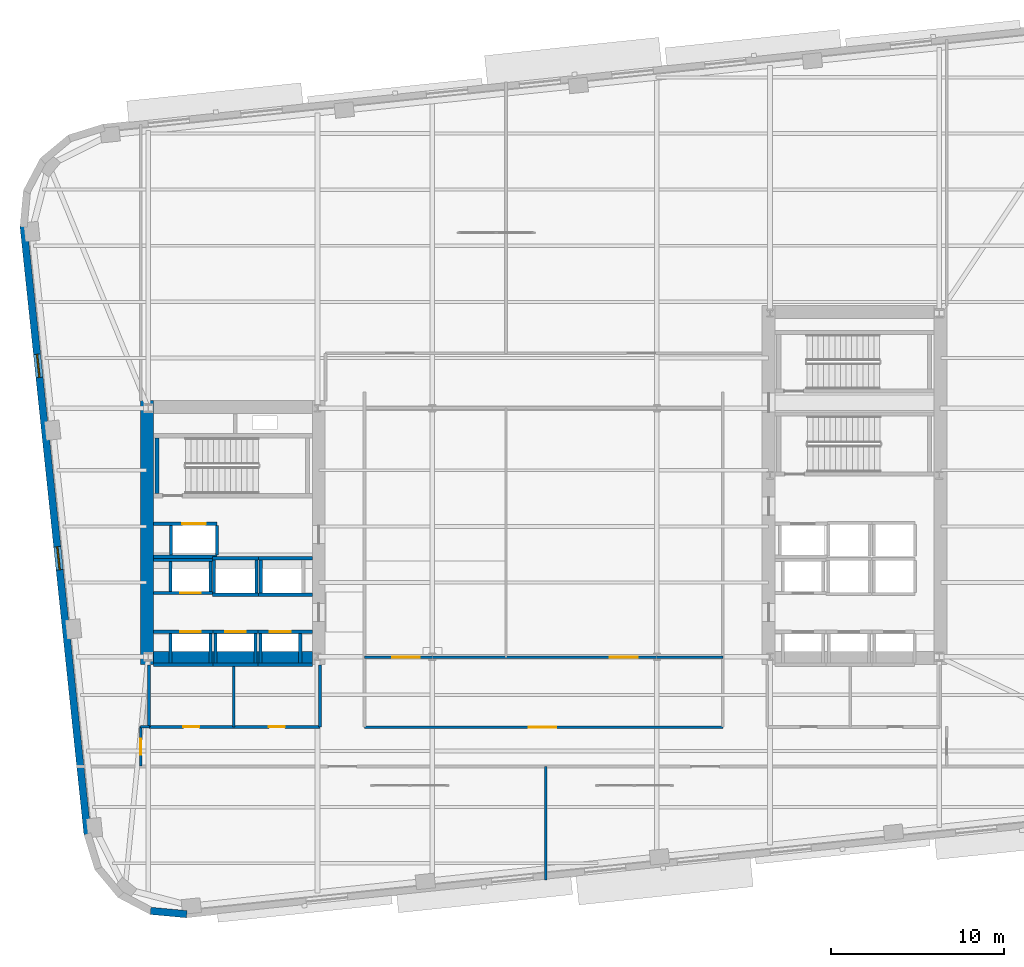
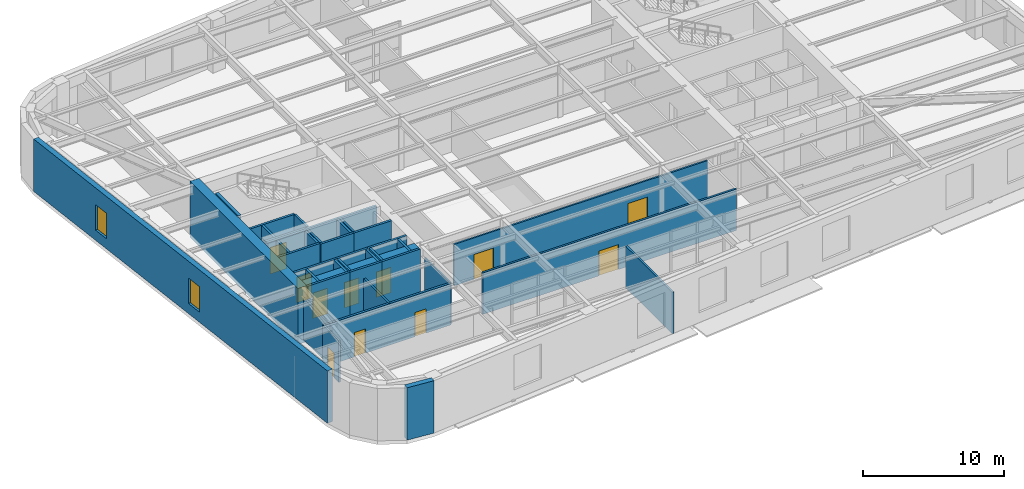
# One storey, part 7 of 14: 41 walls, 11 doors, 2 windows, 13 openings.
"""IFC4 building model written with IfcOpenShell, lengths in metres."""

from ifc_helpers import new_model, si_unit, direction, frame, frame_2d, origin, place, context, subcontext, project, spatial, rectangle, extrude, material, layer, layer_set, type_object, element, fill, save


model = new_model("IFC4")

# Units and contexts
model_context = context("Model", 3, precision=1e-05, world=origin(), true_north=direction((0.0, 1.0)))
body_context = subcontext(model_context, "Body", "Model", "MODEL_VIEW")
ifc_project = project(units=[si_unit("LENGTHUNIT", "METRE"), si_unit("AREAUNIT", "SQUARE_METRE"), si_unit("VOLUMEUNIT", "CUBIC_METRE"), si_unit("PLANEANGLEUNIT", "RADIAN"), si_unit("MASSUNIT", "GRAM", prefix="KILO")], contexts=[model_context])

# Site, building, storey
site_placement = place(None, origin())
site = spatial("IfcSite", under=ifc_project, at=site_placement, CompositionType="ELEMENT")
building_placement = place(site_placement, origin())
building = spatial("IfcBuilding", under=site, at=building_placement, Name="Kolvaren Arena Tower", CompositionType="ELEMENT")
storey_placement = place(building_placement, frame((0.0, 0.0, 125.949951171875)))
storey = spatial("IfcBuildingStorey", under=building, at=storey_placement, Name="L29", CompositionType="ELEMENT", Elevation=125.949951171875)

# Wall, opening, door
ifc_material_1 = material(Name="Gypsum board acoustic assembly", Category="gypsum")
ifc_layer_1 = layer(ifc_material_1, 0.159912109375)
ifc_layer_set_1 = layer_set([ifc_layer_1], Name="Gypsum board acoustic assembly")
wall_type_1 = type_object("IfcWallType", Name="CORR-160", PredefinedType="PARTITIONING", material=ifc_layer_set_1)
wall_1_placement = place(storey_placement, frame((27.080078125, 15.3798828125, 0.0), z_axis=(0.0, 0.0, 1.0), x_axis=(1.0, 0.0, 0.0)))
wall_1 = element("IfcWall", 1, at=wall_1_placement, inside=storey, type_object=wall_type_1, Name="Interior Partition Wall (L29)", PredefinedType="PARTITIONING", context=body_context, shape_type="SweptSolid", body=[
    extrude(rectangle(XDim=20.739990234375, YDim=0.159912109375, at=frame_2d((10.3701171875, 0.0))), origin(), (0.0, 0.0, 1.0), 3.590087890625),
])
opening_1_placement = place(wall_1_placement, frame((9.5, 0.0, 0.0)))
opening_1 = element("IfcOpeningElement", 2, at=opening_1_placement, cuts=wall_1, Name="Opening D06", PredefinedType="OPENING", context=body_context, shape_type="SweptSolid", body=[
    extrude(rectangle(XDim=1.60009765625, YDim=2.14990234375, at=frame_2d((0.800048828125, 1.074951171875))), frame((0.0, 0.08984375, 0.0), z_axis=(0.0, -1.0, 0.0), x_axis=(1.0, 0.0, 0.0)), (0.0, 0.0, 1.0), 0.179931640625),
])
ifc_material_2 = material(Name="Glazed acoustic boardroom double door", Category="aluminium")
door_type_1 = type_object("IfcDoorType", Name="DOOR-MT-160", OperationType="DOUBLE_DOOR_SINGLE_SWING", PredefinedType="DOOR", material=ifc_material_2)
door_1_placement = place(opening_1_placement, origin())
door_1 = element("IfcDoor", 3, at=door_1_placement, inside=storey, type_object=door_type_1, Name="South Viewing Lounge Door (L29)", OperationType="DOUBLE_DOOR_SINGLE_SWING", OverallHeight=2.14990234375, OverallWidth=1.60009765625, PredefinedType="DOOR", context=body_context, shape_type="SweptSolid", body=[
    extrude(rectangle(XDim=1.60009765625, YDim=2.14990234375, at=frame_2d((0.800048828125, 1.074951171875))), frame((0.0, 0.02490234375, 0.0), z_axis=(0.0, -1.0, 0.0), x_axis=(1.0, 0.0, 0.0)), (0.0, 0.0, 1.0), 0.050048828125),
])
fill(opening_1, door_1)

# Walls
wall_2_placement = place(storey_placement, frame((14.1201171875, 15.39990234375, 0.0), z_axis=(0.0, 0.0, 1.0), x_axis=(1.0, 0.0, 0.0)))
element("IfcWall", 4, at=wall_2_placement, inside=storey, type_object=wall_type_1, Name="Interior Partition Wall (L29)", PredefinedType="PARTITIONING", context=body_context, shape_type="SweptSolid", body=[
    extrude(rectangle(XDim=0.5, YDim=0.159912109375, at=frame_2d((0.25, 0.0))), origin(), (0.0, 0.0, 1.0), 3.590087890625),
])
wall_3_placement = place(storey_placement, frame((37.570068359375, 6.5283203125, 0.0), z_axis=(0.0, 0.0, 1.0), x_axis=(0.0, 1.0, 0.0)))
element("IfcWall", 5, at=wall_3_placement, inside=storey, type_object=wall_type_1, Name="Interior Partition Wall (L29)", PredefinedType="PARTITIONING", context=body_context, shape_type="SweptSolid", body=[
    extrude(rectangle(XDim=6.57177734375, YDim=0.159912109375, at=frame_2d((3.285888671875, 0.0))), origin(), (0.0, 0.0, 1.0), 3.590087890625),
])

# Wall, opening, door
wall_4_placement = place(storey_placement, frame((14.1201171875, 13.1201171875, 0.0), z_axis=(0.0, 0.0, 1.0), x_axis=(0.0, 1.0, 0.0)))
wall_4 = element("IfcWall", 6, at=wall_4_placement, inside=storey, type_object=wall_type_1, Name="Interior Partition Wall (L29)", PredefinedType="PARTITIONING", context=body_context, shape_type="SweptSolid", body=[
    extrude(rectangle(XDim=2.2998046875, YDim=0.159912109375, at=frame_2d((1.14990234375, 0.0))), origin(), (0.0, 0.0, 1.0), 3.590087890625),
])
opening_2_placement = place(wall_4_placement, frame((0.64990234375, 0.0, 0.0)))
opening_2 = element("IfcOpeningElement", 7, at=opening_2_placement, cuts=wall_4, Name="Opening D05", PredefinedType="OPENING", context=body_context, shape_type="SweptSolid", body=[
    extrude(rectangle(XDim=0.949951171875, YDim=2.14990234375, at=frame_2d((0.47509765625, 1.074951171875))), frame((0.0, 0.08984375, 0.0), z_axis=(0.0, -1.0, 0.0), x_axis=(1.0, 0.0, 0.0)), (0.0, 0.0, 1.0), 0.179931640625),
])
ifc_material_3 = material(Name="Solid-core oak acoustic office door", Category="wood")
door_type_2 = type_object("IfcDoorType", Name="DOOR-OF-095", OperationType="NOTDEFINED", PredefinedType="DOOR", material=ifc_material_3)
door_2_placement = place(opening_2_placement, origin())
door_2 = element("IfcDoor", 8, at=door_2_placement, inside=storey, type_object=door_type_2, Name="West Salon Door (L29)", OperationType="SINGLE_SWING_LEFT", OverallHeight=2.14990234375, OverallWidth=0.949951171875, PredefinedType="DOOR", context=body_context, shape_type="SweptSolid", body=[
    extrude(rectangle(XDim=0.949951171875, YDim=2.14990234375, at=frame_2d((0.47509765625, 1.074951171875))), frame((0.0, 0.02490234375, 0.0), z_axis=(0.0, -1.0, 0.0), x_axis=(1.0, 0.0, 0.0)), (0.0, 0.0, 1.0), 0.050048828125),
])
fill(opening_2, door_2)

# Walls
ifc_material_4 = material(Name="Concrete 70 MPa", Category="concrete")
ifc_layer_2 = layer(ifc_material_4, 0.75)
ifc_layer_set_2 = layer_set([ifc_layer_2], Name="Concrete 70 MPa")
wall_type_2 = type_object("IfcWallType", Name="CWALL-750", PredefinedType="SHEAR", material=ifc_layer_set_2)
wall_5_placement = place(storey_placement, frame((14.47509765625, 19.0, -0.31005859375), z_axis=(0.0, 0.0, 1.0), x_axis=(0.0, 1.0, 0.0)))
element("IfcWall", 9, at=wall_5_placement, inside=storey, type_object=wall_type_2, Name="Core Shear Wall WC-WEST (L29)", PredefinedType="SHEAR", context=body_context, shape_type="SweptSolid", body=[
    extrude(rectangle(XDim=15.300048828125, YDim=0.75, at=frame_2d((7.64990234375, 0.0))), origin(), (0.0, 0.0, 1.0), 4.840087890625),
])
wall_6_placement = place(storey_placement, frame((14.85009765625, 19.375, -0.31005859375), z_axis=(0.0, 0.0, 1.0), x_axis=(1.0, 0.0, 0.0)))
element("IfcWall", 10, at=wall_6_placement, inside=storey, type_object=wall_type_2, Name="Core Shear Wall WC-SOUTH (L29)", PredefinedType="SHEAR", context=body_context, shape_type="SweptSolid", body=[
    extrude(rectangle(XDim=9.199951171875, YDim=0.75, at=frame_2d((4.60009765625, 0.0))), origin(), (0.0, 0.0, 1.0), 4.840087890625),
])

# Wall, openings, windows
ifc_material_5 = material(Name="Precast concrete C50/60", Category="concrete")
ifc_layer_3 = layer(ifc_material_5, 0.419921875)
ifc_layer_set_3 = layer_set([ifc_layer_3], Name="Precast concrete C50/60")
wall_type_3 = type_object("IfcWallType", Name="EXT-PIER1", PredefinedType="SOLIDWALL", material=ifc_layer_set_3)
wall_7_placement = place(storey_placement, frame((11.039794921875, 9.16943359375, 0.0), z_axis=(0.0, 0.0, 1.0), x_axis=(-0.104532207177, 0.99452150186, 0.0)))
wall_7 = element("IfcWall", 11, at=wall_7_placement, inside=storey, type_object=wall_type_3, Name="Exterior Precast Masonry-Frame Wall (L29)", PredefinedType="SOLIDWALL", context=body_context, shape_type="SweptSolid", body=[
    extrude(rectangle(XDim=35.39990234375, YDim=0.419921875, at=frame_2d((17.699951171875, 0.0))), origin(), (0.0, 0.0, 1.0), 4.530029296875),
])
opening_3_placement = place(wall_7_placement, frame((15.39990234375, 0.0, 0.8798828125)))
opening_3 = element("IfcOpeningElement", 12, at=opening_3_placement, cuts=wall_7, Name="Opening W04", PredefinedType="OPENING", context=body_context, shape_type="SweptSolid", body=[
    extrude(rectangle(XDim=1.35009765625, YDim=2.199951171875, at=frame_2d((0.675048828125, 1.10009765625))), frame((0.0, 0.219970703125, 0.0), z_axis=(0.0, -1.0, 0.0), x_axis=(1.0, 0.0, 0.0)), (0.0, 0.0, 1.0), 0.43994140625),
])
opening_4_placement = place(wall_7_placement, frame((26.60009765625, 0.0, 0.8798828125)))
opening_4 = element("IfcOpeningElement", 13, at=opening_4_placement, cuts=wall_7, Name="Opening W04", PredefinedType="OPENING", context=body_context, shape_type="SweptSolid", body=[
    extrude(rectangle(XDim=1.35009765625, YDim=2.199951171875, at=frame_2d((0.675048828125, 1.10009765625))), frame((0.0, 0.219970703125, 0.0), z_axis=(0.0, -1.0, 0.0), x_axis=(1.0, 0.0, 0.0)), (0.0, 0.0, 1.0), 0.43994140625),
])
ifc_material_6 = material(Name="Triple-glazed curved-facet corner window", Category="glass")
window_type = type_object("IfcWindowType", Name="WIN-CRN-A", PartitioningType="SINGLE_PANEL", PredefinedType="WINDOW", material=ifc_material_6)
window_1_placement = place(opening_3_placement, origin())
window_1 = element("IfcWindow", 14, at=window_1_placement, inside=storey, type_object=window_type, Name="End-Wall Punched Window (L29)", OverallHeight=2.199951171875, OverallWidth=1.35009765625, PartitioningType="SINGLE_PANEL", PredefinedType="WINDOW", context=body_context, shape_type="SweptSolid", body=[
    extrude(rectangle(XDim=1.35009765625, YDim=2.199951171875, at=frame_2d((0.675048828125, 1.10009765625))), frame((0.0, 0.030029296875, 0.0), z_axis=(0.0, -1.0, 0.0), x_axis=(1.0, 0.0, 0.0)), (0.0, 0.0, 1.0), 0.06005859375),
])
fill(opening_3, window_1)
window_2_placement = place(opening_4_placement, origin())
window_2 = element("IfcWindow", 15, at=window_2_placement, inside=storey, type_object=window_type, Name="End-Wall Punched Window (L29)", OverallHeight=2.199951171875, OverallWidth=1.35009765625, PartitioningType="SINGLE_PANEL", PredefinedType="WINDOW", context=body_context, shape_type="SweptSolid", body=[
    extrude(rectangle(XDim=1.35009765625, YDim=2.199951171875, at=frame_2d((0.675048828125, 1.10009765625))), frame((0.0, 0.030029296875, 0.0), z_axis=(0.0, -1.0, 0.0), x_axis=(1.0, 0.0, 0.0)), (0.0, 0.0, 1.0), 0.06005859375),
])
fill(opening_4, window_2)

# Wall
wall_8_placement = place(storey_placement, frame((16.784912109375, 4.55078125, 0.0), z_axis=(0.0, 0.0, 1.0), x_axis=(-0.995811110714, 0.091434303078, 0.0)))
element("IfcWall", 16, at=wall_8_placement, inside=storey, type_object=wall_type_3, Name="Exterior Precast Masonry-Frame Wall (L29)", PredefinedType="SOLIDWALL", context=body_context, shape_type="SweptSolid", body=[
    extrude(rectangle(XDim=2.106689453125, YDim=0.419921875, at=frame_2d((1.05322265625, 0.0))), origin(), (0.0, 0.0, 1.0), 4.530029296875),
])

# Wall, openings, doors
ifc_material_7 = material(Name="Gypsum board partition assembly", Category="gypsum")
ifc_layer_4 = layer(ifc_material_7, 0.135009765625)
ifc_layer_set_4 = layer_set([ifc_layer_4], Name="Gypsum board partition assembly")
wall_type_4 = type_object("IfcWallType", Name="PART-135", PredefinedType="PARTITIONING", material=ifc_layer_set_4)
wall_9_placement = place(storey_placement, frame((27.080078125, 19.419921875, 0.0), z_axis=(0.0, 0.0, 1.0), x_axis=(1.0, 0.0, 0.0)))
wall_9 = element("IfcWall", 17, at=wall_9_placement, inside=storey, type_object=wall_type_4, Name="Interior Partition Wall (L29)", PredefinedType="PARTITIONING", context=body_context, shape_type="SweptSolid", body=[
    extrude(rectangle(XDim=20.739990234375, YDim=0.135009765625, at=frame_2d((10.3701171875, 0.0))), origin(), (0.0, 0.0, 1.0), 3.590087890625),
])
opening_5_placement = place(wall_9_placement, frame((1.60009765625, 0.0, 0.0)))
opening_5 = element("IfcOpeningElement", 18, at=opening_5_placement, cuts=wall_9, Name="Opening D06", PredefinedType="OPENING", context=body_context, shape_type="SweptSolid", body=[
    extrude(rectangle(XDim=1.60009765625, YDim=2.14990234375, at=frame_2d((0.800048828125, 1.074951171875))), frame((0.0, 0.077392578125, 0.0), z_axis=(0.0, -1.0, 0.0), x_axis=(1.0, 0.0, 0.0)), (0.0, 0.0, 1.0), 0.155029296875),
])
opening_6_placement = place(wall_9_placement, frame((14.199951171875, 0.0, 0.0)))
opening_6 = element("IfcOpeningElement", 19, at=opening_6_placement, cuts=wall_9, Name="Opening D06", PredefinedType="OPENING", context=body_context, shape_type="SweptSolid", body=[
    extrude(rectangle(XDim=1.60009765625, YDim=2.14990234375, at=frame_2d((0.800048828125, 1.074951171875))), frame((0.0, 0.077392578125, 0.0), z_axis=(0.0, -1.0, 0.0), x_axis=(1.0, 0.0, 0.0)), (0.0, 0.0, 1.0), 0.155029296875),
])
door_3_placement = place(opening_5_placement, origin())
door_3 = element("IfcDoor", 20, at=door_3_placement, inside=storey, type_object=door_type_1, Name="Central Hall West Door (L29)", OperationType="DOUBLE_DOOR_SINGLE_SWING", OverallHeight=2.14990234375, OverallWidth=1.60009765625, PredefinedType="DOOR", context=body_context, shape_type="SweptSolid", body=[
    extrude(rectangle(XDim=1.60009765625, YDim=2.14990234375, at=frame_2d((0.800048828125, 1.074951171875))), frame((0.0, 0.02490234375, 0.0), z_axis=(0.0, -1.0, 0.0), x_axis=(1.0, 0.0, 0.0)), (0.0, 0.0, 1.0), 0.050048828125),
])
fill(opening_5, door_3)
door_4_placement = place(opening_6_placement, origin())
door_4 = element("IfcDoor", 21, at=door_4_placement, inside=storey, type_object=door_type_1, Name="Central Hall East Door (L29)", OperationType="DOUBLE_DOOR_SINGLE_SWING", OverallHeight=2.14990234375, OverallWidth=1.60009765625, PredefinedType="DOOR", context=body_context, shape_type="SweptSolid", body=[
    extrude(rectangle(XDim=1.60009765625, YDim=2.14990234375, at=frame_2d((0.800048828125, 1.074951171875))), frame((0.0, 0.02490234375, 0.0), z_axis=(0.0, -1.0, 0.0), x_axis=(1.0, 0.0, 0.0)), (0.0, 0.0, 1.0), 0.050048828125),
])
fill(opening_6, door_4)

# Wall
ifc_material_8 = material(Name="Concrete 45 MPa", Category="concrete")
ifc_layer_5 = layer(ifc_material_8, 0.25)
ifc_layer_set_5 = layer_set([ifc_layer_5], Name="Concrete 45 MPa")
wall_type_5 = type_object("IfcWallType", Name="SHAFT-250", PredefinedType="SOLIDWALL", material=ifc_layer_set_5)
wall_10_placement = place(storey_placement, frame((15.06005859375, 28.89990234375, 0.0), z_axis=(0.0, 0.0, 1.0), x_axis=(0.0, 1.0, 0.0)))
element("IfcWall", 22, at=wall_10_placement, inside=storey, type_object=wall_type_5, Name="Core Shaft Wall (L29)", PredefinedType="SOLIDWALL", context=body_context, shape_type="SweptSolid", body=[
    extrude(rectangle(XDim=3.22998046875, YDim=0.239990234375, at=frame_2d((1.614990234375, 0.0))), origin(), (0.0, 0.0, 1.0), 4.530029296875),
])

# Wall, opening, door
wall_11_placement = place(storey_placement, frame((14.85009765625, 20.905029296875, 0.0), z_axis=(0.0, 0.0, 1.0), x_axis=(1.0, 0.0, 0.0)))
wall_11 = element("IfcWall", 23, at=wall_11_placement, inside=storey, type_object=wall_type_5, Name="Core Shaft Wall (L29)", PredefinedType="SOLIDWALL", context=body_context, shape_type="SweptSolid", body=[
    extrude(rectangle(XDim=3.449951171875, YDim=0.179931640625, at=frame_2d((1.72509765625, 0.0))), origin(), (0.0, 0.0, 1.0), 4.530029296875),
])
opening_7_placement = place(wall_11_placement, frame((1.550048828125, 0.0, 0.0)))
opening_7 = element("IfcOpeningElement", 24, at=opening_7_placement, cuts=wall_11, Name="Opening LD1", PredefinedType="OPENING", context=body_context, shape_type="SweptSolid", body=[
    extrude(rectangle(XDim=1.199951171875, YDim=2.199951171875, at=frame_2d((0.60009765625, 1.10009765625))), frame((0.0, 0.099853515625, 0.0), z_axis=(0.0, -1.0, 0.0), x_axis=(1.0, 0.0, 0.0)), (0.0, 0.0, 1.0), 0.199951171875),
])
ifc_material_9 = material(Name="Stainless steel passenger lift landing door", Category="steel")
door_type_3 = type_object("IfcDoorType", Name="DOOR-LD-120", OperationType="DOUBLE_DOOR_SLIDING", PredefinedType="DOOR", material=ifc_material_9)
door_5_placement = place(opening_7_placement, origin())
door_5 = element("IfcDoor", 25, at=door_5_placement, inside=storey, type_object=door_type_3, Name="Lift EL-MR1 Landing Door (L29)", OperationType="DOUBLE_DOOR_SLIDING", OverallHeight=2.199951171875, OverallWidth=1.199951171875, PredefinedType="DOOR", context=body_context, shape_type="SweptSolid", body=[
    extrude(rectangle(XDim=1.199951171875, YDim=2.199951171875, at=frame_2d((0.60009765625, 1.10009765625))), frame((0.0, 0.02490234375, 0.0), z_axis=(0.0, -1.0, 0.0), x_axis=(1.0, 0.0, 0.0)), (0.0, 0.0, 1.0), 0.050048828125),
])
fill(opening_7, door_5)

# Walls
wall_12_placement = place(storey_placement, frame((14.85009765625, 18.9951171875, 0.0), z_axis=(0.0, 0.0, 1.0), x_axis=(1.0, 0.0, 0.0)))
element("IfcWall", 26, at=wall_12_placement, inside=storey, type_object=wall_type_5, Name="Core Shaft Wall (L29)", PredefinedType="SOLIDWALL", context=body_context, shape_type="SweptSolid", body=[
    extrude(rectangle(XDim=3.449951171875, YDim=0.179931640625, at=frame_2d((1.72509765625, 0.0))), origin(), (0.0, 0.0, 1.0), 4.530029296875),
])
for number, where, z_axis, x_axis, name in (
    (27, (15.844970703125, 19.0849609375, 0.0), (0.0, 0.0, 1.0), (0.0, 1.0, 0.0), "Core Shaft Wall (L29)"),
    (28, (18.155029296875, 19.0849609375, 0.0), (0.0, 0.0, 1.0), (0.0, 1.0, 0.0), "Core Shaft Wall (L29)"),
):
    element("IfcWall", number, at=place(storey_placement, frame(where, z_axis=z_axis, x_axis=x_axis)), inside=storey, type_object=wall_type_5, Name=name, PredefinedType="SOLIDWALL", context=body_context, shape_type="SweptSolid", body=[
        extrude(rectangle(XDim=1.72998046875, YDim=0.179931640625, at=frame_2d((0.864990234375, 0.0))), origin(), (0.0, 0.0, 1.0), 4.530029296875),
    ])

# Wall, opening, door
wall_13_placement = place(storey_placement, frame((18.300048828125, 20.905029296875, 0.0), z_axis=(0.0, 0.0, 1.0), x_axis=(1.0, 0.0, 0.0)))
wall_13 = element("IfcWall", 29, at=wall_13_placement, inside=storey, type_object=wall_type_5, Name="Core Shaft Wall (L29)", PredefinedType="SOLIDWALL", context=body_context, shape_type="SweptSolid", body=[
    extrude(rectangle(XDim=2.599853515625, YDim=0.179931640625, at=frame_2d((1.2998046875, 0.0))), origin(), (0.0, 0.0, 1.0), 4.530029296875),
])
opening_8_placement = place(wall_13_placement, frame((0.699951171875, 0.0, 0.0)))
opening_8 = element("IfcOpeningElement", 30, at=opening_8_placement, cuts=wall_13, Name="Opening LD1", PredefinedType="OPENING", context=body_context, shape_type="SweptSolid", body=[
    extrude(rectangle(XDim=1.199951171875, YDim=2.199951171875, at=frame_2d((0.60009765625, 1.10009765625))), frame((0.0, 0.099853515625, 0.0), z_axis=(0.0, -1.0, 0.0), x_axis=(1.0, 0.0, 0.0)), (0.0, 0.0, 1.0), 0.199951171875),
])
door_6_placement = place(opening_8_placement, origin())
door_6 = element("IfcDoor", 31, at=door_6_placement, inside=storey, type_object=door_type_3, Name="Lift EL-MR2 Landing Door (L29)", OperationType="DOUBLE_DOOR_SLIDING", OverallHeight=2.199951171875, OverallWidth=1.199951171875, PredefinedType="DOOR", context=body_context, shape_type="SweptSolid", body=[
    extrude(rectangle(XDim=1.199951171875, YDim=2.199951171875, at=frame_2d((0.60009765625, 1.10009765625))), frame((0.0, 0.02490234375, 0.0), z_axis=(0.0, -1.0, 0.0), x_axis=(1.0, 0.0, 0.0)), (0.0, 0.0, 1.0), 0.050048828125),
])
fill(opening_8, door_6)

# Walls
wall_14_placement = place(storey_placement, frame((18.300048828125, 18.9951171875, 0.0), z_axis=(0.0, 0.0, 1.0), x_axis=(1.0, 0.0, 0.0)))
element("IfcWall", 32, at=wall_14_placement, inside=storey, type_object=wall_type_5, Name="Core Shaft Wall (L29)", PredefinedType="SOLIDWALL", context=body_context, shape_type="SweptSolid", body=[
    extrude(rectangle(XDim=2.599853515625, YDim=0.179931640625, at=frame_2d((1.2998046875, 0.0))), origin(), (0.0, 0.0, 1.0), 4.530029296875),
])
for number, where, z_axis, x_axis, name in (
    (33, (18.445068359375, 19.0849609375, 0.0), (0.0, 0.0, 1.0), (0.0, 1.0, 0.0), "Core Shaft Wall (L29)"),
    (34, (20.7548828125, 19.0849609375, 0.0), (0.0, 0.0, 1.0), (0.0, 1.0, 0.0), "Core Shaft Wall (L29)"),
):
    element("IfcWall", number, at=place(storey_placement, frame(where, z_axis=z_axis, x_axis=x_axis)), inside=storey, type_object=wall_type_5, Name=name, PredefinedType="SOLIDWALL", context=body_context, shape_type="SweptSolid", body=[
        extrude(rectangle(XDim=1.72998046875, YDim=0.179931640625, at=frame_2d((0.864990234375, 0.0))), origin(), (0.0, 0.0, 1.0), 4.530029296875),
    ])

# Wall, opening, door
wall_15_placement = place(storey_placement, frame((20.89990234375, 20.905029296875, 0.0), z_axis=(0.0, 0.0, 1.0), x_axis=(1.0, 0.0, 0.0)))
wall_15 = element("IfcWall", 35, at=wall_15_placement, inside=storey, type_object=wall_type_5, Name="Core Shaft Wall (L29)", PredefinedType="SOLIDWALL", context=body_context, shape_type="SweptSolid", body=[
    extrude(rectangle(XDim=3.150146484375, YDim=0.179931640625, at=frame_2d((1.5751953125, 0.0))), origin(), (0.0, 0.0, 1.0), 4.530029296875),
])
opening_9_placement = place(wall_15_placement, frame((0.699951171875, 0.0, 0.0)))
opening_9 = element("IfcOpeningElement", 36, at=opening_9_placement, cuts=wall_15, Name="Opening LD1", PredefinedType="OPENING", context=body_context, shape_type="SweptSolid", body=[
    extrude(rectangle(XDim=1.199951171875, YDim=2.199951171875, at=frame_2d((0.60009765625, 1.10009765625))), frame((0.0, 0.099853515625, 0.0), z_axis=(0.0, -1.0, 0.0), x_axis=(1.0, 0.0, 0.0)), (0.0, 0.0, 1.0), 0.199951171875),
])
door_7_placement = place(opening_9_placement, origin())
door_7 = element("IfcDoor", 37, at=door_7_placement, inside=storey, type_object=door_type_3, Name="Lift EL-MR3 Landing Door (L29)", OperationType="DOUBLE_DOOR_SLIDING", OverallHeight=2.199951171875, OverallWidth=1.199951171875, PredefinedType="DOOR", context=body_context, shape_type="SweptSolid", body=[
    extrude(rectangle(XDim=1.199951171875, YDim=2.199951171875, at=frame_2d((0.60009765625, 1.10009765625))), frame((0.0, 0.02490234375, 0.0), z_axis=(0.0, -1.0, 0.0), x_axis=(1.0, 0.0, 0.0)), (0.0, 0.0, 1.0), 0.050048828125),
])
fill(opening_9, door_7)

# Walls
wall_16_placement = place(storey_placement, frame((20.89990234375, 18.9951171875, 0.0), z_axis=(0.0, 0.0, 1.0), x_axis=(1.0, 0.0, 0.0)))
element("IfcWall", 38, at=wall_16_placement, inside=storey, type_object=wall_type_5, Name="Core Shaft Wall (L29)", PredefinedType="SOLIDWALL", context=body_context, shape_type="SweptSolid", body=[
    extrude(rectangle(XDim=3.150146484375, YDim=0.179931640625, at=frame_2d((1.5751953125, 0.0))), origin(), (0.0, 0.0, 1.0), 4.530029296875),
])
for number, where, z_axis, x_axis, name in (
    (39, (21.044921875, 19.0849609375, 0.0), (0.0, 0.0, 1.0), (0.0, 1.0, 0.0), "Core Shaft Wall (L29)"),
    (40, (23.35498046875, 19.0849609375, 0.0), (0.0, 0.0, 1.0), (0.0, 1.0, 0.0), "Core Shaft Wall (L29)"),
):
    element("IfcWall", number, at=place(storey_placement, frame(where, z_axis=z_axis, x_axis=x_axis)), inside=storey, type_object=wall_type_5, Name=name, PredefinedType="SOLIDWALL", context=body_context, shape_type="SweptSolid", body=[
        extrude(rectangle(XDim=1.72998046875, YDim=0.179931640625, at=frame_2d((0.864990234375, 0.0))), origin(), (0.0, 0.0, 1.0), 4.530029296875),
    ])
wall_17_placement = place(storey_placement, frame((14.85009765625, 25.054931640625, 0.0), z_axis=(0.0, 0.0, 1.0), x_axis=(1.0, 0.0, 0.0)))
element("IfcWall", 41, at=wall_17_placement, inside=storey, type_object=wall_type_5, Name="Core Shaft Wall (L29)", PredefinedType="SOLIDWALL", context=body_context, shape_type="SweptSolid", body=[
    extrude(rectangle(XDim=3.412353515625, YDim=0.179931640625, at=frame_2d((1.7060546875, 0.0))), origin(), (0.0, 0.0, 1.0), 4.530029296875),
])

# Wall, opening, door
wall_18_placement = place(storey_placement, frame((14.85009765625, 23.14501953125, 0.0), z_axis=(0.0, 0.0, 1.0), x_axis=(1.0, 0.0, 0.0)))
wall_18 = element("IfcWall", 42, at=wall_18_placement, inside=storey, type_object=wall_type_5, Name="Core Shaft Wall (L29)", PredefinedType="SOLIDWALL", context=body_context, shape_type="SweptSolid", body=[
    extrude(rectangle(XDim=3.412353515625, YDim=0.179931640625, at=frame_2d((1.7060546875, 0.0))), origin(), (0.0, 0.0, 1.0), 4.530029296875),
])
opening_10_placement = place(wall_18_placement, frame((1.550048828125, 0.0, 0.0)))
opening_10 = element("IfcOpeningElement", 43, at=opening_10_placement, cuts=wall_18, Name="Opening LD1", PredefinedType="OPENING", context=body_context, shape_type="SweptSolid", body=[
    extrude(rectangle(XDim=1.199951171875, YDim=2.199951171875, at=frame_2d((0.60009765625, 1.10009765625))), frame((0.0, 0.099853515625, 0.0), z_axis=(0.0, -1.0, 0.0), x_axis=(1.0, 0.0, 0.0)), (0.0, 0.0, 1.0), 0.199951171875),
])
door_8_placement = place(opening_10_placement, origin())
door_8 = element("IfcDoor", 44, at=door_8_placement, inside=storey, type_object=door_type_3, Name="Lift EL-MR4 Landing Door (L29)", OperationType="DOUBLE_DOOR_SLIDING", OverallHeight=2.199951171875, OverallWidth=1.199951171875, PredefinedType="DOOR", context=body_context, shape_type="SweptSolid", body=[
    extrude(rectangle(XDim=1.199951171875, YDim=2.199951171875, at=frame_2d((0.60009765625, 1.10009765625))), frame((0.0, 0.02490234375, 0.0), z_axis=(0.0, -1.0, 0.0), x_axis=(1.0, 0.0, 0.0)), (0.0, 0.0, 1.0), 0.050048828125),
])
fill(opening_10, door_8)

# Walls
for number, where, z_axis, x_axis, name in (
    (45, (15.844970703125, 23.235107421875, 0.0), (0.0, 0.0, 1.0), (0.0, 1.0, 0.0), "Core Shaft Wall (L29)"),
    (46, (18.155029296875, 23.235107421875, 0.0), (0.0, 0.0, 1.0), (0.0, 1.0, 0.0), "Core Shaft Wall (L29)"),
):
    element("IfcWall", number, at=place(storey_placement, frame(where, z_axis=z_axis, x_axis=x_axis)), inside=storey, type_object=wall_type_5, Name=name, PredefinedType="SOLIDWALL", context=body_context, shape_type="SweptSolid", body=[
        extrude(rectangle(XDim=1.72998046875, YDim=0.179931640625, at=frame_2d((0.864990234375, 0.0))), origin(), (0.0, 0.0, 1.0), 4.530029296875),
    ])
for number, where, z_axis, x_axis, name in (
    (47, (18.262451171875, 25.155029296875, 0.0), (0.0, 0.0, 1.0), (1.0, 0.0, 0.0), "Core Shaft Wall (L29)"),
    (48, (18.262451171875, 23.044921875, 0.0), (0.0, 0.0, 1.0), (1.0, 0.0, 0.0), "Core Shaft Wall (L29)"),
):
    element("IfcWall", number, at=place(storey_placement, frame(where, z_axis=z_axis, x_axis=x_axis)), inside=storey, type_object=wall_type_5, Name=name, PredefinedType="SOLIDWALL", context=body_context, shape_type="SweptSolid", body=[
        extrude(rectangle(XDim=2.6875, YDim=0.179931640625, at=frame_2d((1.34375, 0.0))), origin(), (0.0, 0.0, 1.0), 4.530029296875),
    ])
for number, where, z_axis, x_axis, name in (
    (49, (18.3701171875, 23.135009765625, 0.0), (0.0, 0.0, 1.0), (0.0, 1.0, 0.0), "Core Shaft Wall (L29)"),
    (50, (20.830078125, 23.135009765625, 0.0), (0.0, 0.0, 1.0), (0.0, 1.0, 0.0), "Core Shaft Wall (L29)"),
):
    element("IfcWall", number, at=place(storey_placement, frame(where, z_axis=z_axis, x_axis=x_axis)), inside=storey, type_object=wall_type_5, Name=name, PredefinedType="SOLIDWALL", context=body_context, shape_type="SweptSolid", body=[
        extrude(rectangle(XDim=1.929931640625, YDim=0.179931640625, at=frame_2d((0.96484375, 0.0))), origin(), (0.0, 0.0, 1.0), 4.530029296875),
    ])
for number, where, z_axis, x_axis, name in (
    (51, (20.949951171875, 25.155029296875, 0.0), (0.0, 0.0, 1.0), (1.0, 0.0, 0.0), "Core Shaft Wall (L29)"),
    (52, (20.949951171875, 23.044921875, 0.0), (0.0, 0.0, 1.0), (1.0, 0.0, 0.0), "Core Shaft Wall (L29)"),
):
    element("IfcWall", number, at=place(storey_placement, frame(where, z_axis=z_axis, x_axis=x_axis)), inside=storey, type_object=wall_type_5, Name=name, PredefinedType="SOLIDWALL", context=body_context, shape_type="SweptSolid", body=[
        extrude(rectangle(XDim=3.10009765625, YDim=0.179931640625, at=frame_2d((1.550048828125, 0.0))), origin(), (0.0, 0.0, 1.0), 4.530029296875),
    ])
wall_19_placement = place(storey_placement, frame((21.070068359375, 23.135009765625, 0.0), z_axis=(0.0, 0.0, 1.0), x_axis=(0.0, 1.0, 0.0)))
element("IfcWall", 53, at=wall_19_placement, inside=storey, type_object=wall_type_5, Name="Core Shaft Wall (L29)", PredefinedType="SOLIDWALL", context=body_context, shape_type="SweptSolid", body=[
    extrude(rectangle(XDim=1.929931640625, YDim=0.179931640625, at=frame_2d((0.96484375, 0.0))), origin(), (0.0, 0.0, 1.0), 4.530029296875),
])

# Wall, opening, door
wall_20_placement = place(storey_placement, frame((14.85009765625, 27.155029296875, 0.0), z_axis=(0.0, 0.0, 1.0), x_axis=(1.0, 0.0, 0.0)))
wall_20 = element("IfcWall", 54, at=wall_20_placement, inside=storey, type_object=wall_type_5, Name="Core Shaft Wall (L29)", PredefinedType="SOLIDWALL", context=body_context, shape_type="SweptSolid", body=[
    extrude(rectangle(XDim=3.679931640625, YDim=0.179931640625, at=frame_2d((1.83984375, 0.0))), origin(), (0.0, 0.0, 1.0), 4.530029296875),
])
opening_11_placement = place(wall_20_placement, frame((1.675048828125, 0.0, 0.0)))
opening_11 = element("IfcOpeningElement", 55, at=opening_11_placement, cuts=wall_20, Name="Opening LD2", PredefinedType="OPENING", context=body_context, shape_type="SweptSolid", body=[
    extrude(rectangle(XDim=1.35009765625, YDim=2.300048828125, at=frame_2d((0.675048828125, 1.14990234375))), frame((0.0, 0.099853515625, 0.0), z_axis=(0.0, -1.0, 0.0), x_axis=(1.0, 0.0, 0.0)), (0.0, 0.0, 1.0), 0.199951171875),
])
ifc_material_10 = material(Name="Stainless steel firefighter lift landing door", Category="steel")
door_type_4 = type_object("IfcDoorType", Name="DOOR-LD-135", OperationType="DOUBLE_DOOR_SLIDING", PredefinedType="DOOR", material=ifc_material_10)
door_9_placement = place(opening_11_placement, origin())
door_9 = element("IfcDoor", 56, at=door_9_placement, inside=storey, type_object=door_type_4, Name="Firefighter Lift FF-W1 Landing Door (L29)", OperationType="DOUBLE_DOOR_SLIDING", OverallHeight=2.300048828125, OverallWidth=1.35009765625, PredefinedType="DOOR", context=body_context, shape_type="SweptSolid", body=[
    extrude(rectangle(XDim=1.35009765625, YDim=2.300048828125, at=frame_2d((0.675048828125, 1.14990234375))), frame((0.0, 0.02490234375, 0.0), z_axis=(0.0, -1.0, 0.0), x_axis=(1.0, 0.0, 0.0)), (0.0, 0.0, 1.0), 0.050048828125),
])
fill(opening_11, door_9)

# Walls
wall_21_placement = place(storey_placement, frame((14.85009765625, 25.2451171875, 0.0), z_axis=(0.0, 0.0, 1.0), x_axis=(1.0, 0.0, 0.0)))
element("IfcWall", 57, at=wall_21_placement, inside=storey, type_object=wall_type_5, Name="Core Shaft Wall (L29)", PredefinedType="SOLIDWALL", context=body_context, shape_type="SweptSolid", body=[
    extrude(rectangle(XDim=3.679931640625, YDim=0.179931640625, at=frame_2d((1.83984375, 0.0))), origin(), (0.0, 0.0, 1.0), 4.530029296875),
])
for number, where, z_axis, x_axis, name in (
    (58, (15.8701171875, 25.3349609375, 0.0), (0.0, 0.0, 1.0), (0.0, 1.0, 0.0), "Core Shaft Wall (L29)"),
    (59, (18.530029296875, 25.3349609375, 0.0), (0.0, 0.0, 1.0), (0.0, 1.0, 0.0), "Core Shaft Wall (L29)"),
):
    element("IfcWall", number, at=place(storey_placement, frame(where, z_axis=z_axis, x_axis=x_axis)), inside=storey, type_object=wall_type_5, Name=name, PredefinedType="SOLIDWALL", context=body_context, shape_type="SweptSolid", body=[
        extrude(rectangle(XDim=1.72998046875, YDim=0.179931640625, at=frame_2d((0.864990234375, 0.0))), origin(), (0.0, 0.0, 1.0), 4.530029296875),
    ])
ifc_material_11 = material(Name="Moisture-resistant gypsum assembly", Category="gypsum")
ifc_layer_6 = layer(ifc_material_11, 0.14990234375)
ifc_layer_set_6 = layer_set([ifc_layer_6], Name="Moisture-resistant gypsum assembly")
wall_type_6 = type_object("IfcWallType", Name="WETW-150", PredefinedType="PARTITIONING", material=ifc_layer_set_6)
wall_22_placement = place(storey_placement, frame((19.5, 15.39990234375, 0.0), z_axis=(0.0, 0.0, 1.0), x_axis=(0.0, 1.0, 0.0)))
element("IfcWall", 60, at=wall_22_placement, inside=storey, type_object=wall_type_6, Name="Interior Partition Wall (L29)", PredefinedType="PARTITIONING", context=body_context, shape_type="SweptSolid", body=[
    extrude(rectangle(XDim=3.580078125, YDim=0.14990234375, at=frame_2d((1.7900390625, 0.0))), origin(), (0.0, 0.0, 1.0), 3.590087890625),
])

# Wall, openings, doors
wall_23_placement = place(storey_placement, frame((14.60009765625, 15.39990234375, 0.0), z_axis=(0.0, 0.0, 1.0), x_axis=(1.0, 0.0, 0.0)))
wall_23 = element("IfcWall", 61, at=wall_23_placement, inside=storey, type_object=wall_type_6, Name="Interior Partition Wall (L29)", PredefinedType="PARTITIONING", context=body_context, shape_type="SweptSolid", body=[
    extrude(rectangle(XDim=9.89990234375, YDim=0.179931640625, at=frame_2d((4.949951171875, 0.0))), origin(), (0.0, 0.0, 1.0), 3.590087890625),
])
opening_12_placement = place(wall_23_placement, frame((1.989990234375, 0.0, 0.0)))
opening_12 = element("IfcOpeningElement", 62, at=opening_12_placement, cuts=wall_23, Name="Opening D07", PredefinedType="OPENING", context=body_context, shape_type="SweptSolid", body=[
    extrude(rectangle(XDim=0.919921875, YDim=2.10009765625, at=frame_2d((0.4599609375, 1.050048828125))), frame((0.0, 0.099853515625, 0.0), z_axis=(0.0, -1.0, 0.0), x_axis=(1.0, 0.0, 0.0)), (0.0, 0.0, 1.0), 0.199951171875),
])
opening_13_placement = place(wall_23_placement, frame((6.93994140625, 0.0, 0.0)))
opening_13 = element("IfcOpeningElement", 63, at=opening_13_placement, cuts=wall_23, Name="Opening D07", PredefinedType="OPENING", context=body_context, shape_type="SweptSolid", body=[
    extrude(rectangle(XDim=0.919921875, YDim=2.10009765625, at=frame_2d((0.4599609375, 1.050048828125))), frame((0.0, 0.099853515625, 0.0), z_axis=(0.0, -1.0, 0.0), x_axis=(1.0, 0.0, 0.0)), (0.0, 0.0, 1.0), 0.199951171875),
])
ifc_material_12 = material(Name="Laminate universal washroom door", Category="wood")
door_type_5 = type_object("IfcDoorType", Name="DOOR-WC-092", OperationType="NOTDEFINED", PredefinedType="DOOR", material=ifc_material_12)
door_10_placement = place(opening_12_placement, origin())
door_10 = element("IfcDoor", 64, at=door_10_placement, inside=storey, type_object=door_type_5, Name="Universal Barrier-Free Washroom Door (L29)", OperationType="SINGLE_SWING_LEFT", OverallHeight=2.10009765625, OverallWidth=0.919921875, PredefinedType="DOOR", context=body_context, shape_type="SweptSolid", body=[
    extrude(rectangle(XDim=0.919921875, YDim=2.10009765625, at=frame_2d((0.4599609375, 1.050048828125))), frame((0.0, 0.02490234375, 0.0), z_axis=(0.0, -1.0, 0.0), x_axis=(1.0, 0.0, 0.0)), (0.0, 0.0, 1.0), 0.050048828125),
])
fill(opening_12, door_10)
door_11_placement = place(opening_13_placement, origin())
door_11 = element("IfcDoor", 65, at=door_11_placement, inside=storey, type_object=door_type_5, Name="Gender-Neutral Washroom Door (L29)", OperationType="SINGLE_SWING_RIGHT", OverallHeight=2.10009765625, OverallWidth=0.919921875, PredefinedType="DOOR", context=body_context, shape_type="SweptSolid", body=[
    extrude(rectangle(XDim=0.919921875, YDim=2.10009765625, at=frame_2d((0.4599609375, 1.050048828125))), frame((0.0, 0.02490234375, 0.0), z_axis=(0.0, -1.0, 0.0), x_axis=(1.0, 0.0, 0.0)), (0.0, 0.0, 1.0), 0.050048828125),
])
fill(opening_13, door_11)

# Walls
for number, where, z_axis, x_axis, name in (
    (66, (14.60009765625, 15.39990234375, 0.0), (0.0, 0.0, 1.0), (0.0, 1.0, 0.0), "Interior Partition Wall (L29)"),
    (67, (24.5, 15.39990234375, 0.0), (0.0, 0.0, 1.0), (0.0, 1.0, 0.0), "Interior Partition Wall (L29)"),
):
    element("IfcWall", number, at=place(storey_placement, frame(where, z_axis=z_axis, x_axis=x_axis)), inside=storey, type_object=wall_type_6, Name=name, PredefinedType="PARTITIONING", context=body_context, shape_type="SweptSolid", body=[
        extrude(rectangle(XDim=3.580078125, YDim=0.14990234375, at=frame_2d((1.7900390625, 0.0))), origin(), (0.0, 0.0, 1.0), 3.590087890625),
    ])

save(model, "model.ifc")
